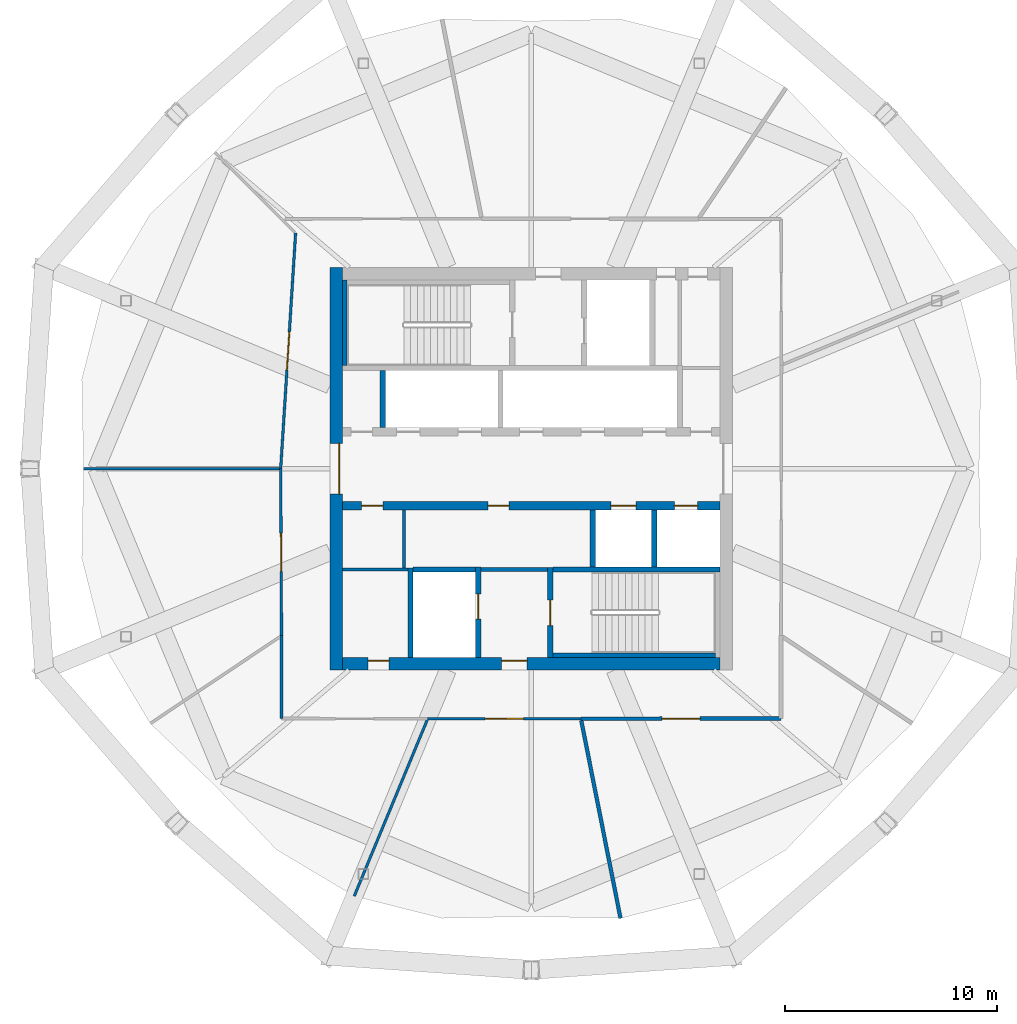
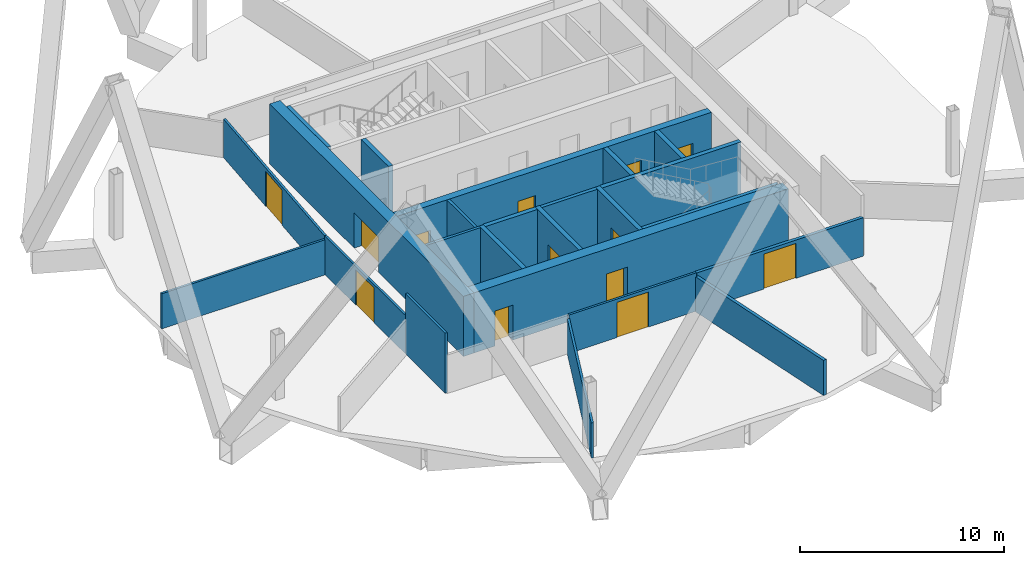
# One storey, part 4 of 9: 24 walls, 13 doors, 13 openings.
"""IFC4 building model written with IfcOpenShell, lengths in metres."""

import ifcopenshell
import ifcopenshell.guid

model = None  # the IFC model being written
_history = None  # IfcOwnerHistory: only IFC2X3 demands one
_inside = {}  # id of a spatial element -> (the spatial element, [elements in it])
_under = {}  # id of a project, library or spatial element -> (it, [spatial elements below it])
_declared = {}  # id of a project -> (the project, [libraries it declares])
_typed = {}  # id of a type object -> (the type object, [elements of that type])
_made_of = {}  # id of a material, layer set ... -> (it, [elements and type objects made of it])


def new_model(schema):
    """Start an empty IFC model of exactly this schema.

    Asked for "IFC4X3", IfcOpenShell would pick the latest addendum, in which some entities
    have other attributes; the version numbers below select the first issue.
    IFC2X3 requires an IfcOwnerHistory on every rooted entity: one is made here for all.
    """
    global model, _history
    if schema == "IFC4X3":
        model = ifcopenshell.file(schema_version=(4, 3, 0, 0))
    else:
        model = ifcopenshell.file(schema=schema)
    _inside.clear()
    _under.clear()
    _declared.clear()
    _typed.clear()
    _made_of.clear()
    _history = None
    if model.schema == "IFC2X3":
        org = make("IfcOrganization", Name="unknown")
        user = make(
            "IfcPersonAndOrganization",
            ThePerson=make("IfcPerson", FamilyName="unknown"),
            TheOrganization=org,
        )
        app = make(
            "IfcApplication",
            ApplicationDeveloper=org,
            Version="unknown",
            ApplicationFullName="unknown",
            ApplicationIdentifier="unknown",
        )
        _history = make(
            "IfcOwnerHistory",
            OwningUser=user,
            OwningApplication=app,
            ChangeAction="ADDED",
            CreationDate=0,
        )
    return model


def make(cls, **values):
    """One entity of the class cls with the attributes given. An attribute that is None is left unset."""
    return model.create_entity(
        cls, **{name: value for name, value in values.items() if value is not None}
    )


def rooted(cls, **values):
    """An entity with a GlobalId (a new one), such as an element, a storey or a relation."""
    return make(cls, GlobalId=ifcopenshell.guid.new(), OwnerHistory=_history, **values)


def si_unit(unit_type, name, prefix=None):
    """IfcSIUnit, for example si_unit("LENGTHUNIT", "METRE", prefix="MILLI")."""
    return make("IfcSIUnit", UnitType=unit_type, Prefix=prefix, Name=name)


def assignment(units):
    """IfcUnitAssignment: the units of a project."""
    return None if units is None else make("IfcUnitAssignment", Units=units)


def point(xyz):
    """IfcCartesianPoint."""
    return None if xyz is None else make("IfcCartesianPoint", Coordinates=xyz)


def direction(xyz):
    """IfcDirection."""
    return None if xyz is None else make("IfcDirection", DirectionRatios=xyz)


def frame(location, z_axis=None, x_axis=None):
    """IfcAxis2Placement3D, a coordinate frame: its origin and axes. An axis left out is left unset."""
    return make(
        "IfcAxis2Placement3D",
        Location=point(location),
        Axis=direction(z_axis),
        RefDirection=direction(x_axis),
    )


def frame_2d(location, x_axis=None):
    """IfcAxis2Placement2D, a coordinate frame in the plane: its origin and x axis."""
    return make(
        "IfcAxis2Placement2D", Location=point(location), RefDirection=direction(x_axis)
    )


def origin():
    """The frame at (0, 0, 0) with its axes left unset."""
    return frame((0.0, 0.0, 0.0))


def place(relative_to, where):
    """IfcLocalPlacement: puts the frame where relative to a parent placement (None: the world)."""
    return make(
        "IfcLocalPlacement", PlacementRelTo=relative_to, RelativePlacement=where
    )


def context(
    kind, dimensions, precision=None, world=None, true_north=None, identifier=None
):
    """IfcGeometricRepresentationContext, for example the 3D "Model" context."""
    return make(
        "IfcGeometricRepresentationContext",
        ContextIdentifier=identifier,
        ContextType=kind,
        CoordinateSpaceDimension=dimensions,
        Precision=precision,
        WorldCoordinateSystem=world,
        TrueNorth=true_north,
    )


def subcontext(parent, identifier, kind, view, scale=None):
    """IfcGeometricRepresentationSubContext, for example "Body" below "Model"."""
    return make(
        "IfcGeometricRepresentationSubContext",
        ContextIdentifier=identifier,
        ContextType=kind,
        ParentContext=parent,
        TargetScale=scale,
        TargetView=view,
    )


def project(units=None, contexts=None):
    """IfcProject with its units and contexts."""
    return rooted(
        "IfcProject",
        Name="project",
        RepresentationContexts=contexts,
        UnitsInContext=assignment(units),
    )


def spatial(cls, under=None, at=None, **own):
    """A site, building, storey or space (cls), placed at a placement, below another one or the project."""
    s = rooted(cls, ObjectPlacement=at, **own)
    if under is not None:
        _under.setdefault(under.id(), (under, []))[1].append(s)
    return s


def profile(cls, at=None, kind="AREA", **sizes):
    """A parametric profile (cls). Its sizes go by their IFC names, for example OverallWidth=200.0."""
    return make(cls, ProfileType=kind, Position=at, **sizes)


def rectangle(**sizes):
    """IfcRectangleProfileDef."""
    return profile("IfcRectangleProfileDef", **sizes)


def extrude(swept, where, along, depth):
    """IfcExtrudedAreaSolid: the profile swept, set in the frame where, extruded along a direction by depth."""
    return make(
        "IfcExtrudedAreaSolid",
        SweptArea=swept,
        Position=where,
        ExtrudedDirection=direction(along),
        Depth=depth,
    )


def shape(context_of_items, identifier, shape_type, items):
    """IfcShapeRepresentation: the items that make up one representation, for example the "Body"."""
    return make(
        "IfcShapeRepresentation",
        ContextOfItems=context_of_items,
        RepresentationIdentifier=identifier,
        RepresentationType=shape_type,
        Items=items,
    )


def material(Name=None, Category=None):
    """IfcMaterial."""
    return make("IfcMaterial", Name=Name, Category=Category)


def layer(
    of_material, thickness, ventilated=None, Name=None, Category=None, Priority=None
):
    """IfcMaterialLayer: one layer of a wall or slab, of a material (None: an air gap)."""
    return make(
        "IfcMaterialLayer",
        Material=of_material,
        LayerThickness=thickness,
        IsVentilated=ventilated,
        Name=Name,
        Category=Category,
        Priority=Priority,
    )


def layer_set(layers, Name=None):
    """IfcMaterialLayerSet."""
    return make("IfcMaterialLayerSet", MaterialLayers=layers, LayerSetName=Name)


def made_of(thing, what):
    """Note that an element or type object is made of a material, layer set ...; save() writes the relation."""
    if what is not None:
        _made_of.setdefault(what.id(), (what, []))[1].append(thing)
    return thing


def type_object(cls, material=None, **own):
    """A type object (cls), such as IfcWallType, which elements share."""
    return made_of(rooted(cls, **own), material)


def element(
    cls,
    number,
    at=None,
    inside=None,
    cuts=None,
    type_object=None,
    material=None,
    context=None,
    identifier="Body",
    shape_type=None,
    held_by="IfcProductDefinitionShape",
    body=None,
    shapes=None,
    **own,
):
    """One element of the class cls, such as IfcWall. Its Tag is "e" and its number.

    at: its placement. inside: the storey or other place that contains it. cuts: it is an
    opening in that element (IfcRelVoidsElement). A single representation is given by context,
    identifier, shape_type and body (its items); several are given by shapes. held_by: the class
    of the entity that holds the representations. save() writes the other relations.
    """
    e = rooted(cls, Tag="e%d" % number, ObjectPlacement=at, **own)
    if body is not None:
        shapes = [shape(context, identifier, shape_type, body)]
    if shapes is not None:
        e.Representation = make(held_by, Representations=shapes)
    if inside is not None:
        _inside.setdefault(inside.id(), (inside, []))[1].append(e)
    if cuts is not None:
        rooted(
            "IfcRelVoidsElement", RelatingBuildingElement=cuts, RelatedOpeningElement=e
        )
    if type_object is not None:
        _typed.setdefault(type_object.id(), (type_object, []))[1].append(e)
    return made_of(e, material)


def fill(opening, filler):
    """IfcRelFillsElement: the door or window that sits in an opening."""
    return rooted(
        "IfcRelFillsElement",
        RelatingOpeningElement=opening,
        RelatedBuildingElement=filler,
    )


def aggregate(whole, parts):
    """IfcRelAggregates: a whole, such as a stair, and the parts it consists of."""
    return rooted("IfcRelAggregates", RelatingObject=whole, RelatedObjects=parts)


def save(model, path):
    """Write the relations noted so far, then the file.

    IfcRelAggregates (storeys below a building ...), IfcRelContainedInSpatialStructure (elements
    in a storey), IfcRelDefinesByType, IfcRelAssociatesMaterial and IfcRelDeclares: one each for
    every whole, place, type object, material and project.
    """
    for whole, parts in _under.values():
        aggregate(whole, parts)
    for where, things in _inside.values():
        rooted(
            "IfcRelContainedInSpatialStructure",
            RelatedElements=things,
            RelatingStructure=where,
        )
    for kind, things in _typed.values():
        rooted("IfcRelDefinesByType", RelatedObjects=things, RelatingType=kind)
    for what, things in _made_of.values():
        rooted("IfcRelAssociatesMaterial", RelatedObjects=things, RelatingMaterial=what)
    for by, libraries in _declared.values():
        rooted("IfcRelDeclares", RelatingContext=by, RelatedDefinitions=libraries)
    model.write(path)


model = new_model("IFC4")

# Units and contexts
model_context = context("Model", 3, precision=1e-05, world=origin(), true_north=direction((0.0, 1.0)))
body_context = subcontext(model_context, "Body", "Model", "MODEL_VIEW")
ifc_project = project(units=[si_unit("LENGTHUNIT", "METRE"), si_unit("AREAUNIT", "SQUARE_METRE"), si_unit("VOLUMEUNIT", "CUBIC_METRE"), si_unit("PLANEANGLEUNIT", "RADIAN"), si_unit("MASSUNIT", "GRAM", prefix="KILO")], contexts=[model_context])

# Site, building, storey
site_placement = place(None, origin())
site = spatial("IfcSite", under=ifc_project, at=site_placement, CompositionType="ELEMENT")
building_placement = place(site_placement, origin())
building = spatial("IfcBuilding", under=site, at=building_placement, Name="Ogive Gate Towers", CompositionType="ELEMENT")
storey_placement = place(building_placement, frame((0.0, 0.0, 200.699951171875)))
storey = spatial("IfcBuildingStorey", under=building, at=storey_placement, Name="L48", CompositionType="ELEMENT", Elevation=200.699951171875)

# Wall
ifc_material_1 = material(Name="Gypsum board acoustic partition")
ifc_layer_1 = layer(ifc_material_1, 0.175048828125)
ifc_layer_set_1 = layer_set([ifc_layer_1], Name="Acoustic partition 175")
wall_type_1 = type_object("IfcWallType", Name="Acoustic partition 175", PredefinedType="PARTITIONING", material=ifc_layer_set_1)
wall_1_placement = place(storey_placement, frame((-31.790283203125, -21.205810546875, 0.0), z_axis=(0.0, 0.0, 1.0), x_axis=(-0.194714091205, 0.980860042354, 0.0)))
element("IfcWall", 1, at=wall_1_placement, inside=storey, type_object=wall_type_1, Name="Partition T1-L48-008", PredefinedType="PARTITIONING", context=body_context, shape_type="SweptSolid", body=[
    extrude(rectangle(XDim=9.51171875, YDim=0.175048828125, at=frame_2d((4.755859375, 0.0))), origin(), (0.0, 0.0, 1.0), 2.10009765625),
])

# Wall, opening, door
wall_2_placement = place(storey_placement, frame((-33.659423828125, -11.79052734375, 0.0), z_axis=(0.0, 0.0, 1.0), x_axis=(0.999999381567, 0.001112144977, 0.0)))
wall_2 = element("IfcWall", 2, at=wall_2_placement, inside=storey, type_object=wall_type_1, Name="Partition T1-L48-014", PredefinedType="PARTITIONING", context=body_context, shape_type="SweptSolid", body=[
    extrude(rectangle(XDim=9.439453125, YDim=0.175048828125, at=frame_2d((4.7197265625, 0.0))), origin(), (0.0, 0.0, 1.0), 2.300048828125),
])
opening_1_placement = place(wall_2_placement, frame((3.820068359375, 0.0, 0.0)))
opening_1 = element("IfcOpeningElement", 3, at=opening_1_placement, cuts=wall_2, Name="Opening T1-L48-D04", PredefinedType="OPENING", context=body_context, shape_type="SweptSolid", body=[
    extrude(rectangle(XDim=1.800048828125, YDim=2.10009765625, at=frame_2d((0.89990234375, 1.050048828125))), frame((0.0, 0.09765625, 0.0), z_axis=(0.0, -1.0, 0.0), x_axis=(1.0, 0.0, 0.0)), (0.0, 0.0, 1.0), 0.195068359375),
])
ifc_material_2 = material(Name="Timber door", Category="wood")
door_type_1 = type_object("IfcDoorType", Name="Door pair 1800", OperationType="NOTDEFINED", PredefinedType="DOOR", material=ifc_material_2)
door_1_placement = place(opening_1_placement, origin())
door_1 = element("IfcDoor", 4, at=door_1_placement, inside=storey, type_object=door_type_1, Name="Door T1-L48-D04", OperationType="DOUBLE_DOOR_DOUBLE_SWING", OverallHeight=2.10009765625, OverallWidth=1.800048828125, PredefinedType="DOOR", context=body_context, shape_type="SweptSolid", body=[
    extrude(rectangle(XDim=1.800048828125, YDim=2.10009765625, at=frame_2d((0.89990234375, 1.050048828125))), frame((0.0, 0.02490234375, 0.0), z_axis=(0.0, -1.0, 0.0), x_axis=(1.0, 0.0, 0.0)), (0.0, 0.0, 1.0), 0.050048828125),
])
fill(opening_1, door_1)

# Wall
ifc_material_3 = material(Name="Masonry blockwork", Category="masonry")
ifc_layer_2 = layer(ifc_material_3, 0.199951171875)
ifc_layer_set_2 = layer_set([ifc_layer_2], Name="Blockwork wall 200 mm")
wall_type_2 = type_object("IfcWallType", Name="Blockwork wall 200 mm", PredefinedType="PARTITIONING", material=ifc_layer_set_2)
wall_3_placement = place(storey_placement, frame((-38.375, -4.75, 0.0), z_axis=(0.0, 0.0, 1.0), x_axis=(1.0, 0.0, 0.0)))
element("IfcWall", 5, at=wall_3_placement, inside=storey, type_object=wall_type_2, Name="T1 L48 Blockwork wall 200 mm", PredefinedType="PARTITIONING", context=body_context, shape_type="SweptSolid", body=[
    extrude(rectangle(XDim=3.14990234375, YDim=0.199951171875, at=frame_2d((1.574951171875, 0.0))), origin(), (0.0, 0.0, 1.0), 3.60009765625),
])

# Wall, openings, doors
ifc_material_4 = material(Name="Concrete C60/75", Category="concrete")
ifc_layer_3 = layer(ifc_material_4, 0.60009765625)
ifc_layer_set_3 = layer_set([ifc_layer_3], Name="Core wall 600 mm")
wall_type_3 = type_object("IfcWallType", Name="Core wall 600 mm", PredefinedType="SHEAR", material=ifc_layer_set_3)
wall_4_placement = place(storey_placement, frame((-44.89990234375, -9.199951171875, 0.0), z_axis=(0.0, 0.0, 1.0), x_axis=(1.0, 0.0, 0.0)))
wall_4 = element("IfcWall", 6, at=wall_4_placement, inside=storey, type_object=wall_type_3, Name="T1 L48 Core wall 600 mm", PredefinedType="SHEAR", context=body_context, shape_type="SweptSolid", body=[
    extrude(rectangle(XDim=17.7998046875, YDim=0.60009765625, at=frame_2d((8.89990234375, 0.0))), origin(), (0.0, 0.0, 1.0), 3.60009765625),
])
opening_2_placement = place(wall_4_placement, frame((7.5, 0.0, 0.0)))
opening_2 = element("IfcOpeningElement", 7, at=opening_2_placement, cuts=wall_4, Name="Opening KD-T1-L48-19", PredefinedType="OPENING", context=body_context, shape_type="SweptSolid", body=[
    extrude(rectangle(XDim=1.199951171875, YDim=2.10009765625, at=frame_2d((0.60009765625, 1.050048828125))), frame((0.0, 0.31005859375, 0.0), z_axis=(0.0, -1.0, 0.0), x_axis=(1.0, 0.0, 0.0)), (0.0, 0.0, 1.0), 0.6201171875),
])
opening_3_placement = place(wall_4_placement, frame((1.199951171875, 0.0, 0.0)))
opening_3 = element("IfcOpeningElement", 8, at=opening_3_placement, cuts=wall_4, Name="Opening KD-T1-L48-22", PredefinedType="OPENING", context=body_context, shape_type="SweptSolid", body=[
    extrude(rectangle(XDim=1.0, YDim=2.10009765625, at=frame_2d((0.5, 1.050048828125))), frame((0.0, 0.31005859375, 0.0), z_axis=(0.0, -1.0, 0.0), x_axis=(1.0, 0.0, 0.0)), (0.0, 0.0, 1.0), 0.6201171875),
])
door_type_2 = type_object("IfcDoorType", Name="Accessible WC door 1000 x 2100", OperationType="NOTDEFINED", PredefinedType="DOOR", material=ifc_material_2)
door_2_placement = place(opening_3_placement, origin())
door_2 = element("IfcDoor", 9, at=door_2_placement, inside=storey, type_object=door_type_2, Name="T1 L48 Core door", OperationType="SINGLE_SWING_LEFT", OverallHeight=2.10009765625, OverallWidth=1.0, PredefinedType="DOOR", context=body_context, shape_type="SweptSolid", body=[
    extrude(rectangle(XDim=1.0, YDim=2.10009765625, at=frame_2d((0.5, 1.050048828125))), frame((0.0, 0.1748046875, 0.0), z_axis=(0.0, -1.0, 0.0), x_axis=(1.0, 0.0, 0.0)), (0.0, 0.0, 1.0), 0.050048828125),
])
fill(opening_3, door_2)
ifc_material_5 = material(Name="Steel fire door", Category="steel")
door_type_3 = type_object("IfcDoorType", Name="Core door FD60S 1200 x 2100", OperationType="NOTDEFINED", PredefinedType="DOOR", material=ifc_material_5)
door_3_placement = place(opening_2_placement, origin())
door_3 = element("IfcDoor", 10, at=door_3_placement, inside=storey, type_object=door_type_3, Name="T1 L48 Fire-fighting lobby door", OperationType="SINGLE_SWING_RIGHT", OverallHeight=2.10009765625, OverallWidth=1.199951171875, PredefinedType="DOOR", context=body_context, shape_type="SweptSolid", body=[
    extrude(rectangle(XDim=1.199951171875, YDim=2.10009765625, at=frame_2d((0.60009765625, 1.050048828125))), frame((0.0, 0.1748046875, 0.0), z_axis=(0.0, -1.0, 0.0), x_axis=(1.0, 0.0, 0.0)), (0.0, 0.0, 1.0), 0.050048828125),
])
fill(opening_2, door_3)

# Wall, opening, door
wall_5_placement = place(storey_placement, frame((-45.199951171875, -9.5, 0.0), z_axis=(0.0, 0.0, 1.0), x_axis=(0.0, 1.0, 0.0)))
wall_5 = element("IfcWall", 11, at=wall_5_placement, inside=storey, type_object=wall_type_3, Name="T1 L48 Core wall 600 mm", PredefinedType="SHEAR", context=body_context, shape_type="SweptSolid", body=[
    extrude(rectangle(XDim=19.0, YDim=0.60009765625, at=frame_2d((9.5, 0.0))), origin(), (0.0, 0.0, 1.0), 3.60009765625),
])
opening_4_placement = place(wall_5_placement, frame((8.300048828125, 0.0, 0.0)))
opening_4 = element("IfcOpeningElement", 12, at=opening_4_placement, cuts=wall_5, Name="Opening KD-T1-L48-01", PredefinedType="OPENING", context=body_context, shape_type="SweptSolid", body=[
    extrude(rectangle(XDim=2.39990234375, YDim=2.10009765625, at=frame_2d((1.199951171875, 1.050048828125))), frame((0.0, 0.31005859375, 0.0), z_axis=(0.0, -1.0, 0.0), x_axis=(1.0, 0.0, 0.0)), (0.0, 0.0, 1.0), 0.6201171875),
])
door_type_4 = type_object("IfcDoorType", Name="Core double door FD60S 2400 x 2100", OperationType="DOUBLE_DOOR_SINGLE_SWING", PredefinedType="DOOR", material=ifc_material_5)
door_4_placement = place(opening_4_placement, origin())
door_4 = element("IfcDoor", 13, at=door_4_placement, inside=storey, type_object=door_type_4, Name="T1 L48 Core door double", OperationType="DOUBLE_DOOR_SINGLE_SWING", OverallHeight=2.10009765625, OverallWidth=2.39990234375, PredefinedType="DOOR", context=body_context, shape_type="SweptSolid", body=[
    extrude(rectangle(XDim=2.39990234375, YDim=2.10009765625, at=frame_2d((1.199951171875, 1.050048828125))), frame((0.0, -0.125, 0.0), z_axis=(0.0, -1.0, 0.0), x_axis=(1.0, 0.0, 0.0)), (0.0, 0.0, 1.0), 0.050048828125),
])
fill(opening_4, door_4)

# Walls
ifc_material_6 = material(Name="Gypsum board partition")
ifc_layer_4 = layer(ifc_material_6, 0.125)
ifc_layer_set_4 = layer_set([ifc_layer_4], Name="Partition 125")
wall_type_4 = type_object("IfcWallType", Name="Partition 125", PredefinedType="PARTITIONING", material=ifc_layer_set_4)
wall_6_placement = place(storey_placement, frame((-57.118896484375, 0.0, 0.0), z_axis=(0.0, 0.0, 1.0), x_axis=(1.0, 0.0, 0.0)))
element("IfcWall", 14, at=wall_6_placement, inside=storey, type_object=wall_type_4, Name="Partition T1-L48-005", PredefinedType="PARTITIONING", context=body_context, shape_type="SweptSolid", body=[
    extrude(rectangle(XDim=9.236328125, YDim=0.125, at=frame_2d((4.6181640625, 0.0))), origin(), (0.0, 0.0, 1.0), 2.10009765625),
])
wall_7_placement = place(storey_placement, frame((-44.35009765625, -20.1591796875, 0.0), z_axis=(0.0, 0.0, 1.0), x_axis=(0.382679707877, 0.923881075236, 0.0)))
element("IfcWall", 15, at=wall_7_placement, inside=storey, type_object=wall_type_4, Name="Partition T1-L48-007", PredefinedType="PARTITIONING", context=body_context, shape_type="SweptSolid", body=[
    extrude(rectangle(XDim=8.986572265625, YDim=0.125, at=frame_2d((4.4931640625, 0.0))), origin(), (0.0, 0.0, 1.0), 2.10009765625),
])

# Wall, opening, door
wall_8_placement = place(storey_placement, frame((-47.820068359375, 0.0, 0.0), z_axis=(0.0, 0.0, 1.0), x_axis=(0.005175817855, -0.999986605365, 0.0)))
wall_8 = element("IfcWall", 16, at=wall_8_placement, inside=storey, type_object=wall_type_4, Name="Partition T1-L48-010", PredefinedType="PARTITIONING", context=body_context, shape_type="SweptSolid", body=[
    extrude(rectangle(XDim=7.877197265625, YDim=0.125, at=frame_2d((3.9384765625, 0.0))), origin(), (0.0, 0.0, 1.0), 2.300048828125),
])
opening_5_placement = place(wall_8_placement, frame((3.0390625, 0.0, 0.0)))
opening_5 = element("IfcOpeningElement", 17, at=opening_5_placement, cuts=wall_8, Name="Opening T1-L48-D01", PredefinedType="OPENING", context=body_context, shape_type="SweptSolid", body=[
    extrude(rectangle(XDim=1.800048828125, YDim=2.10009765625, at=frame_2d((0.89990234375, 1.050048828125))), frame((0.0, 0.072509765625, 0.0), z_axis=(0.0, -1.0, 0.0), x_axis=(1.0, 0.0, 0.0)), (0.0, 0.0, 1.0), 0.14501953125),
])
door_5_placement = place(opening_5_placement, origin())
door_5 = element("IfcDoor", 18, at=door_5_placement, inside=storey, type_object=door_type_1, Name="Door T1-L48-D01", OperationType="DOUBLE_DOOR_DOUBLE_SWING", OverallHeight=2.10009765625, OverallWidth=1.800048828125, PredefinedType="DOOR", context=body_context, shape_type="SweptSolid", body=[
    extrude(rectangle(XDim=1.800048828125, YDim=2.10009765625, at=frame_2d((0.89990234375, 1.050048828125))), frame((0.0, 0.02490234375, 0.0), z_axis=(0.0, -1.0, 0.0), x_axis=(1.0, 0.0, 0.0)), (0.0, 0.0, 1.0), 0.050048828125),
])
fill(opening_5, door_5)

# Wall
wall_9_placement = place(storey_placement, frame((-47.779296875, -7.877197265625, 0.0), z_axis=(0.0, 0.0, 1.0), x_axis=(-0.000187664203, -0.999999982391, 0.0)))
element("IfcWall", 19, at=wall_9_placement, inside=storey, type_object=wall_type_4, Name="Partition T1-L48-012", PredefinedType="PARTITIONING", context=body_context, shape_type="SweptSolid", body=[
    extrude(rectangle(XDim=3.90283203125, YDim=0.125, at=frame_2d((1.951416015625, 0.0))), origin(), (0.0, 0.0, 1.0), 3.60009765625),
])

# Wall, opening, door
wall_10_placement = place(storey_placement, frame((-40.88720703125, -11.798828125, 0.0), z_axis=(0.0, 0.0, 1.0), x_axis=(0.999999340527, 0.001148453896, 0.0)))
wall_10 = element("IfcWall", 20, at=wall_10_placement, inside=storey, type_object=wall_type_4, Name="Partition T1-L48-013", PredefinedType="PARTITIONING", context=body_context, shape_type="SweptSolid", body=[
    extrude(rectangle(XDim=7.227783203125, YDim=0.125, at=frame_2d((3.61376953125, 0.0))), origin(), (0.0, 0.0, 1.0), 2.300048828125),
])
opening_6_placement = place(wall_10_placement, frame((2.714111328125, 0.0, 0.0)))
opening_6 = element("IfcOpeningElement", 21, at=opening_6_placement, cuts=wall_10, Name="Opening T1-L48-D03", PredefinedType="OPENING", context=body_context, shape_type="SweptSolid", body=[
    extrude(rectangle(XDim=1.800048828125, YDim=2.10009765625, at=frame_2d((0.89990234375, 1.050048828125))), frame((0.0, 0.072509765625, 0.0), z_axis=(0.0, -1.0, 0.0), x_axis=(1.0, 0.0, 0.0)), (0.0, 0.0, 1.0), 0.14501953125),
])
door_6_placement = place(opening_6_placement, origin())
door_6 = element("IfcDoor", 22, at=door_6_placement, inside=storey, type_object=door_type_1, Name="Door T1-L48-D03", OperationType="DOUBLE_DOOR_DOUBLE_SWING", OverallHeight=2.10009765625, OverallWidth=1.800048828125, PredefinedType="DOOR", context=body_context, shape_type="SweptSolid", body=[
    extrude(rectangle(XDim=1.800048828125, YDim=2.10009765625, at=frame_2d((0.89990234375, 1.050048828125))), frame((0.0, 0.02490234375, 0.0), z_axis=(0.0, -1.0, 0.0), x_axis=(1.0, 0.0, 0.0)), (0.0, 0.0, 1.0), 0.050048828125),
])
fill(opening_6, door_6)

wall_11_placement = place(storey_placement, frame((-47.11572265625, 11.11572265625, 0.0), z_axis=(0.0, 0.0, 1.0), x_axis=(-0.063237988172, -0.997998475376, 0.0)))
wall_11 = element("IfcWall", 23, at=wall_11_placement, inside=storey, type_object=wall_type_4, Name="Partition T1-L48-021", PredefinedType="PARTITIONING", context=body_context, shape_type="SweptSolid", body=[
    extrude(rectangle(XDim=11.137939453125, YDim=0.125, at=frame_2d((5.56884765625, 0.0))), origin(), (0.0, 0.0, 1.0), 2.300048828125),
])
opening_7_placement = place(wall_11_placement, frame((4.6689453125, 0.0, 0.0)))
opening_7 = element("IfcOpeningElement", 24, at=opening_7_placement, cuts=wall_11, Name="Opening T1-L48-D09", PredefinedType="OPENING", context=body_context, shape_type="SweptSolid", body=[
    extrude(rectangle(XDim=1.800048828125, YDim=2.10009765625, at=frame_2d((0.89990234375, 1.050048828125))), frame((0.0, 0.072509765625, 0.0), z_axis=(0.0, -1.0, 0.0), x_axis=(1.0, 0.0, 0.0)), (0.0, 0.0, 1.0), 0.14501953125),
])
door_7_placement = place(opening_7_placement, origin())
door_7 = element("IfcDoor", 25, at=door_7_placement, inside=storey, type_object=door_type_1, Name="Door T1-L48-D09", OperationType="DOUBLE_DOOR_DOUBLE_SWING", OverallHeight=2.10009765625, OverallWidth=1.800048828125, PredefinedType="DOOR", context=body_context, shape_type="SweptSolid", body=[
    extrude(rectangle(XDim=1.800048828125, YDim=2.10009765625, at=frame_2d((0.89990234375, 1.050048828125))), frame((0.0, 0.02490234375, 0.0), z_axis=(0.0, -1.0, 0.0), x_axis=(1.0, 0.0, 0.0)), (0.0, 0.0, 1.0), 0.050048828125),
])
fill(opening_7, door_7)

# Walls
ifc_layer_5 = layer(ifc_material_6, 0.14990234375)
ifc_layer_set_5 = layer_set([ifc_layer_5], Name="Room partition 150 mm")
wall_type_5 = type_object("IfcWallType", Name="Room partition 150 mm", PredefinedType="PARTITIONING", material=ifc_layer_set_5)
wall_12_placement = place(storey_placement, frame((-44.89990234375, -4.75, 0.0), z_axis=(0.0, 0.0, 1.0), x_axis=(1.0, 0.0, 0.0)))
element("IfcWall", 26, at=wall_12_placement, inside=storey, type_object=wall_type_5, Name="T1 L48 Room partition 150 mm", PredefinedType="PARTITIONING", context=body_context, shape_type="SweptSolid", body=[
    extrude(rectangle(XDim=3.074951171875, YDim=0.14990234375, at=frame_2d((1.53759765625, 0.0))), origin(), (0.0, 0.0, 1.0), 3.60009765625),
])
wall_13_placement = place(storey_placement, frame((-42.0, -4.675048828125, 0.0), z_axis=(0.0, 0.0, 1.0), x_axis=(0.0, 1.0, 0.0)))
element("IfcWall", 27, at=wall_13_placement, inside=storey, type_object=wall_type_5, Name="T1 L48 Room partition 150 mm", PredefinedType="PARTITIONING", context=body_context, shape_type="SweptSolid", body=[
    extrude(rectangle(XDim=2.72509765625, YDim=0.14990234375, at=frame_2d((1.362548828125, 0.0))), origin(), (0.0, 0.0, 1.0), 3.60009765625),
])
ifc_layer_6 = layer(ifc_material_4, 0.25)
ifc_layer_set_6 = layer_set([ifc_layer_6], Name="Shaft wall 250 mm")
wall_type_6 = type_object("IfcWallType", Name="Shaft wall 250 mm", PredefinedType="SHEAR", material=ifc_layer_set_6)
wall_14_placement = place(storey_placement, frame((-41.574951171875, -4.75, 0.0), z_axis=(0.0, 0.0, 1.0), x_axis=(1.0, 0.0, 0.0)))
element("IfcWall", 28, at=wall_14_placement, inside=storey, type_object=wall_type_6, Name="T1 L48 Shaft wall 250 mm", PredefinedType="SHEAR", context=body_context, shape_type="SweptSolid", body=[
    extrude(rectangle(XDim=2.949951171875, YDim=0.25, at=frame_2d((1.47509765625, 0.0))), origin(), (0.0, 0.0, 1.0), 3.60009765625),
])
wall_15_placement = place(storey_placement, frame((-34.97509765625, -4.75, 0.0), z_axis=(0.0, 0.0, 1.0), x_axis=(1.0, 0.0, 0.0)))
element("IfcWall", 29, at=wall_15_placement, inside=storey, type_object=wall_type_6, Name="T1 L48 Shaft wall 250 mm", PredefinedType="SHEAR", context=body_context, shape_type="SweptSolid", body=[
    extrude(rectangle(XDim=7.875, YDim=0.25, at=frame_2d((3.9375, 0.0))), origin(), (0.0, 0.0, 1.0), 3.60009765625),
])
wall_16_placement = place(storey_placement, frame((-43.0, 1.949951171875, 0.0), z_axis=(0.0, 0.0, 1.0), x_axis=(0.0, 1.0, 0.0)))
element("IfcWall", 30, at=wall_16_placement, inside=storey, type_object=wall_type_6, Name="T1 L48 Shaft wall 250 mm", PredefinedType="SHEAR", context=body_context, shape_type="SweptSolid", body=[
    extrude(rectangle(XDim=2.675048828125, YDim=0.25, at=frame_2d((1.33740234375, 0.0))), origin(), (0.0, 0.0, 1.0), 3.60009765625),
])
wall_17_placement = place(storey_placement, frame((-41.699951171875, -8.89990234375, 0.0), z_axis=(0.0, 0.0, 1.0), x_axis=(0.0, 1.0, 0.0)))
element("IfcWall", 31, at=wall_17_placement, inside=storey, type_object=wall_type_6, Name="T1 L48 Shaft wall 250 mm", PredefinedType="SHEAR", context=body_context, shape_type="SweptSolid", body=[
    extrude(rectangle(XDim=4.224853515625, YDim=0.25, at=frame_2d((2.1123046875, 0.0))), origin(), (0.0, 0.0, 1.0), 3.60009765625),
])

# Wall, opening, door
wall_18_placement = place(storey_placement, frame((-38.5, -8.89990234375, 0.0), z_axis=(0.0, 0.0, 1.0), x_axis=(0.0, 1.0, 0.0)))
wall_18 = element("IfcWall", 32, at=wall_18_placement, inside=storey, type_object=wall_type_6, Name="T1 L48 Shaft wall 250 mm", PredefinedType="SHEAR", context=body_context, shape_type="SweptSolid", body=[
    extrude(rectangle(XDim=4.27490234375, YDim=0.25, at=frame_2d((2.137451171875, 0.0))), origin(), (0.0, 0.0, 1.0), 3.60009765625),
])
opening_8_placement = place(wall_18_placement, frame((1.800048828125, 0.0, 0.0)))
opening_8 = element("IfcOpeningElement", 33, at=opening_8_placement, cuts=wall_18, Name="Opening LD-T1-L48-13", PredefinedType="OPENING", context=body_context, shape_type="SweptSolid", body=[
    extrude(rectangle(XDim=1.199951171875, YDim=2.10009765625, at=frame_2d((0.60009765625, 1.050048828125))), frame((0.0, 0.135009765625, 0.0), z_axis=(0.0, -1.0, 0.0), x_axis=(1.0, 0.0, 0.0)), (0.0, 0.0, 1.0), 0.27001953125),
])
ifc_material_7 = material(Name="Stainless steel landing door", Category="steel")
door_type_5 = type_object("IfcDoorType", Name="Landing door 1200 x 2100", OperationType="SLIDING_TO_LEFT", PredefinedType="DOOR", material=ifc_material_7)
door_8_placement = place(opening_8_placement, origin())
door_8 = element("IfcDoor", 34, at=door_8_placement, inside=storey, type_object=door_type_5, Name="T1 L48 Lift landing door FF2", OperationType="SLIDING_TO_LEFT", OverallHeight=2.10009765625, OverallWidth=1.199951171875, PredefinedType="DOOR", context=body_context, shape_type="SweptSolid", body=[
    extrude(rectangle(XDim=1.199951171875, YDim=2.10009765625, at=frame_2d((0.60009765625, 1.050048828125))), frame((0.0, 0.02490234375, 0.0), z_axis=(0.0, -1.0, 0.0), x_axis=(1.0, 0.0, 0.0)), (0.0, 0.0, 1.0), 0.050048828125),
])
fill(opening_8, door_8)

wall_19_placement = place(storey_placement, frame((-35.10009765625, -8.89990234375, 0.0), z_axis=(0.0, 0.0, 1.0), x_axis=(0.0, 1.0, 0.0)))
wall_19 = element("IfcWall", 35, at=wall_19_placement, inside=storey, type_object=wall_type_6, Name="T1 L48 Shaft wall 250 mm", PredefinedType="SHEAR", context=body_context, shape_type="SweptSolid", body=[
    extrude(rectangle(XDim=4.25, YDim=0.25, at=frame_2d((2.125, 0.0))), origin(), (0.0, 0.0, 1.0), 3.60009765625),
])
opening_9_placement = place(wall_19_placement, frame((1.5, 0.0, 0.0)))
opening_9 = element("IfcOpeningElement", 36, at=opening_9_placement, cuts=wall_19, Name="Opening KD-T1-L48-17", PredefinedType="OPENING", context=body_context, shape_type="SweptSolid", body=[
    extrude(rectangle(XDim=1.199951171875, YDim=2.10009765625, at=frame_2d((0.60009765625, 1.050048828125))), frame((0.0, 0.135009765625, 0.0), z_axis=(0.0, -1.0, 0.0), x_axis=(1.0, 0.0, 0.0)), (0.0, 0.0, 1.0), 0.27001953125),
])
door_9_placement = place(opening_9_placement, origin())
door_9 = element("IfcDoor", 37, at=door_9_placement, inside=storey, type_object=door_type_3, Name="T1 L48 Stair door", OperationType="SINGLE_SWING_RIGHT", OverallHeight=2.10009765625, OverallWidth=1.199951171875, PredefinedType="DOOR", context=body_context, shape_type="SweptSolid", body=[
    extrude(rectangle(XDim=1.199951171875, YDim=2.10009765625, at=frame_2d((0.60009765625, 1.050048828125))), frame((0.0, 0.02490234375, 0.0), z_axis=(0.0, -1.0, 0.0), x_axis=(1.0, 0.0, 0.0)), (0.0, 0.0, 1.0), 0.050048828125),
])
fill(opening_9, door_9)

# Walls
for number, where, z_axis, x_axis, name in (
    (38, (-33.10009765625, -4.625, 0.0), (0.0, 0.0, 1.0), (0.0, 1.0, 0.0), "T1 L48 Shaft wall 250 mm"),
    (39, (-30.199951171875, -4.625, 0.0), (0.0, 0.0, 1.0), (0.0, 1.0, 0.0), "T1 L48 Shaft wall 250 mm"),
):
    element("IfcWall", number, at=place(storey_placement, frame(where, z_axis=z_axis, x_axis=x_axis)), inside=storey, type_object=wall_type_6, Name=name, PredefinedType="SHEAR", context=body_context, shape_type="SweptSolid", body=[
        extrude(rectangle(XDim=2.675048828125, YDim=0.25, at=frame_2d((1.33740234375, 0.0))), origin(), (0.0, 0.0, 1.0), 3.60009765625),
    ])

# Wall, openings, doors
ifc_layer_7 = layer(ifc_material_4, 0.39990234375)
ifc_layer_set_7 = layer_set([ifc_layer_7], Name="Spine wall 400 mm")
wall_type_7 = type_object("IfcWallType", Name="Spine wall 400 mm", PredefinedType="SHEAR", material=ifc_layer_set_7)
wall_20_placement = place(storey_placement, frame((-44.89990234375, -1.75, 0.0), z_axis=(0.0, 0.0, 1.0), x_axis=(1.0, 0.0, 0.0)))
wall_20 = element("IfcWall", 40, at=wall_20_placement, inside=storey, type_object=wall_type_7, Name="T1 L48 Spine wall 400 mm", PredefinedType="SHEAR", context=body_context, shape_type="SweptSolid", body=[
    extrude(rectangle(XDim=17.7998046875, YDim=0.39990234375, at=frame_2d((8.89990234375, 0.0))), origin(), (0.0, 0.0, 1.0), 3.60009765625),
])
opening_10_placement = place(wall_20_placement, frame((12.64990234375, 0.0, 0.0)))
opening_10 = element("IfcOpeningElement", 41, at=opening_10_placement, cuts=wall_20, Name="Opening LD-T1-L48-10", PredefinedType="OPENING", context=body_context, shape_type="SweptSolid", body=[
    extrude(rectangle(XDim=1.199951171875, YDim=2.10009765625, at=frame_2d((0.60009765625, 1.050048828125))), frame((0.0, 0.2099609375, 0.0), z_axis=(0.0, -1.0, 0.0), x_axis=(1.0, 0.0, 0.0)), (0.0, 0.0, 1.0), 0.419921875),
])
opening_11_placement = place(wall_20_placement, frame((15.64990234375, 0.0, 0.0)))
opening_11 = element("IfcOpeningElement", 42, at=opening_11_placement, cuts=wall_20, Name="Opening LD-T1-L48-11", PredefinedType="OPENING", context=body_context, shape_type="SweptSolid", body=[
    extrude(rectangle(XDim=1.10009765625, YDim=2.10009765625, at=frame_2d((0.550048828125, 1.050048828125))), frame((0.0, 0.2099609375, 0.0), z_axis=(0.0, -1.0, 0.0), x_axis=(1.0, 0.0, 0.0)), (0.0, 0.0, 1.0), 0.419921875),
])
opening_12_placement = place(wall_20_placement, frame((0.89990234375, 0.0, 0.0)))
opening_12 = element("IfcOpeningElement", 43, at=opening_12_placement, cuts=wall_20, Name="Opening KD-T1-L48-14", PredefinedType="OPENING", context=body_context, shape_type="SweptSolid", body=[
    extrude(rectangle(XDim=1.0, YDim=2.10009765625, at=frame_2d((0.5, 1.050048828125))), frame((0.0, 0.2099609375, 0.0), z_axis=(0.0, -1.0, 0.0), x_axis=(1.0, 0.0, 0.0)), (0.0, 0.0, 1.0), 0.419921875),
])
opening_13_placement = place(wall_20_placement, frame((6.85009765625, 0.0, 0.0)))
opening_13 = element("IfcOpeningElement", 44, at=opening_13_placement, cuts=wall_20, Name="Opening KD-T1-L48-15", PredefinedType="OPENING", context=body_context, shape_type="SweptSolid", body=[
    extrude(rectangle(XDim=1.0, YDim=2.10009765625, at=frame_2d((0.5, 1.050048828125))), frame((0.0, 0.2099609375, 0.0), z_axis=(0.0, -1.0, 0.0), x_axis=(1.0, 0.0, 0.0)), (0.0, 0.0, 1.0), 0.419921875),
])
door_type_6 = type_object("IfcDoorType", Name="Core door FD60S 1000 x 2100", OperationType="NOTDEFINED", PredefinedType="DOOR", material=ifc_material_5)
door_10_placement = place(opening_12_placement, origin())
door_10 = element("IfcDoor", 45, at=door_10_placement, inside=storey, type_object=door_type_6, Name="T1 L48 Core door", OperationType="SINGLE_SWING_LEFT", OverallHeight=2.10009765625, OverallWidth=1.0, PredefinedType="DOOR", context=body_context, shape_type="SweptSolid", body=[
    extrude(rectangle(XDim=1.0, YDim=2.10009765625, at=frame_2d((0.5, 1.050048828125))), frame((0.0, 0.02490234375, 0.0), z_axis=(0.0, -1.0, 0.0), x_axis=(1.0, 0.0, 0.0)), (0.0, 0.0, 1.0), 0.050048828125),
])
fill(opening_12, door_10)
door_11_placement = place(opening_13_placement, origin())
door_11 = element("IfcDoor", 46, at=door_11_placement, inside=storey, type_object=door_type_6, Name="T1 L48 Core door", OperationType="SINGLE_SWING_RIGHT", OverallHeight=2.10009765625, OverallWidth=1.0, PredefinedType="DOOR", context=body_context, shape_type="SweptSolid", body=[
    extrude(rectangle(XDim=1.0, YDim=2.10009765625, at=frame_2d((0.5, 1.050048828125))), frame((0.0, 0.02490234375, 0.0), z_axis=(0.0, -1.0, 0.0), x_axis=(1.0, 0.0, 0.0)), (0.0, 0.0, 1.0), 0.050048828125),
])
fill(opening_13, door_11)
door_type_7 = type_object("IfcDoorType", Name="Landing door 1100 x 2100", OperationType="SLIDING_TO_LEFT", PredefinedType="DOOR", material=ifc_material_7)
door_12_placement = place(opening_11_placement, origin())
door_12 = element("IfcDoor", 47, at=door_12_placement, inside=storey, type_object=door_type_7, Name="T1 L48 Lift landing door B6", OperationType="SLIDING_TO_LEFT", OverallHeight=2.10009765625, OverallWidth=1.10009765625, PredefinedType="DOOR", context=body_context, shape_type="SweptSolid", body=[
    extrude(rectangle(XDim=1.10009765625, YDim=2.10009765625, at=frame_2d((0.550048828125, 1.050048828125))), frame((0.0, 0.02490234375, 0.0), z_axis=(0.0, -1.0, 0.0), x_axis=(1.0, 0.0, 0.0)), (0.0, 0.0, 1.0), 0.050048828125),
])
fill(opening_11, door_12)
door_13_placement = place(opening_10_placement, origin())
door_13 = element("IfcDoor", 48, at=door_13_placement, inside=storey, type_object=door_type_5, Name="T1 L48 Lift landing door SVC", OperationType="SLIDING_TO_LEFT", OverallHeight=2.10009765625, OverallWidth=1.199951171875, PredefinedType="DOOR", context=body_context, shape_type="SweptSolid", body=[
    extrude(rectangle(XDim=1.199951171875, YDim=2.10009765625, at=frame_2d((0.60009765625, 1.050048828125))), frame((0.0, 0.02490234375, 0.0), z_axis=(0.0, -1.0, 0.0), x_axis=(1.0, 0.0, 0.0)), (0.0, 0.0, 1.0), 0.050048828125),
])
fill(opening_10, door_13)

# Walls
ifc_layer_8 = layer(ifc_material_4, 0.199951171875)
ifc_layer_set_8 = layer_set([ifc_layer_8], Name="Stair wall 200 mm")
wall_type_8 = type_object("IfcWallType", Name="Stair wall 200 mm", PredefinedType="SHEAR", material=ifc_layer_set_8)
wall_21_placement = place(storey_placement, frame((-34.97509765625, -8.800048828125, 0.0), z_axis=(0.0, 0.0, 1.0), x_axis=(1.0, 0.0, 0.0)))
element("IfcWall", 49, at=wall_21_placement, inside=storey, type_object=wall_type_8, Name="T1 L48 Stair wall 200 mm", PredefinedType="SHEAR", context=body_context, shape_type="SweptSolid", body=[
    extrude(rectangle(XDim=7.675048828125, YDim=0.199951171875, at=frame_2d((3.83740234375, 0.0))), origin(), (0.0, 0.0, 1.0), 3.60009765625),
])
wall_22_placement = place(storey_placement, frame((-44.800048828125, 4.875, 0.0), z_axis=(0.0, 0.0, 1.0), x_axis=(0.0, 1.0, 0.0)))
element("IfcWall", 50, at=wall_22_placement, inside=storey, type_object=wall_type_8, Name="T1 L48 Stair wall 200 mm", PredefinedType="SHEAR", context=body_context, shape_type="SweptSolid", body=[
    extrude(rectangle(XDim=4.02490234375, YDim=0.199951171875, at=frame_2d((2.012451171875, 0.0))), origin(), (0.0, 0.0, 1.0), 3.60009765625),
])

save(model, "model.ifc")
